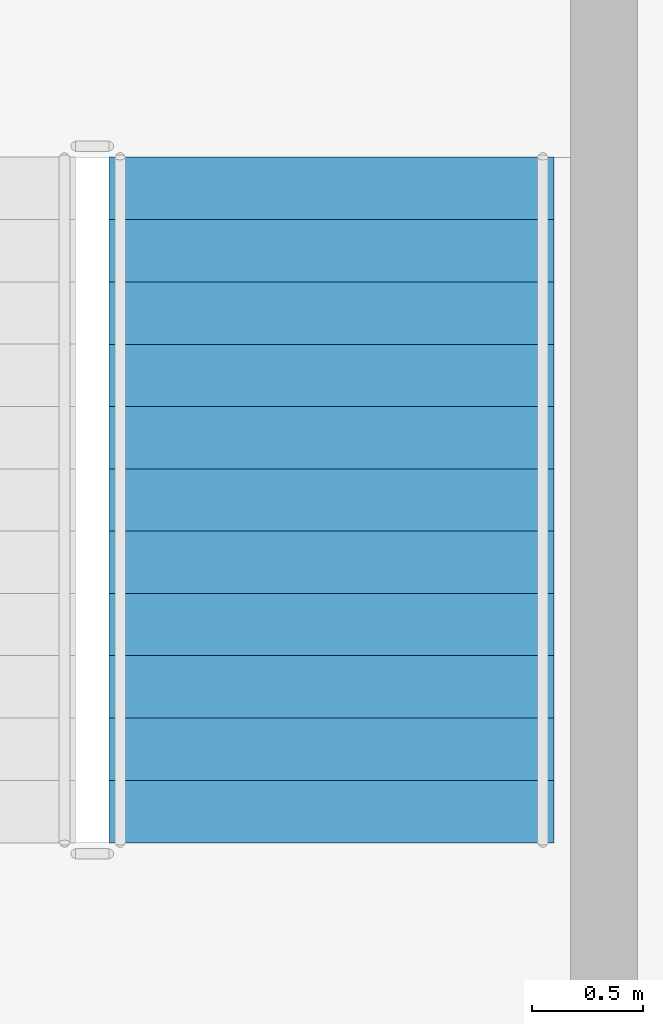
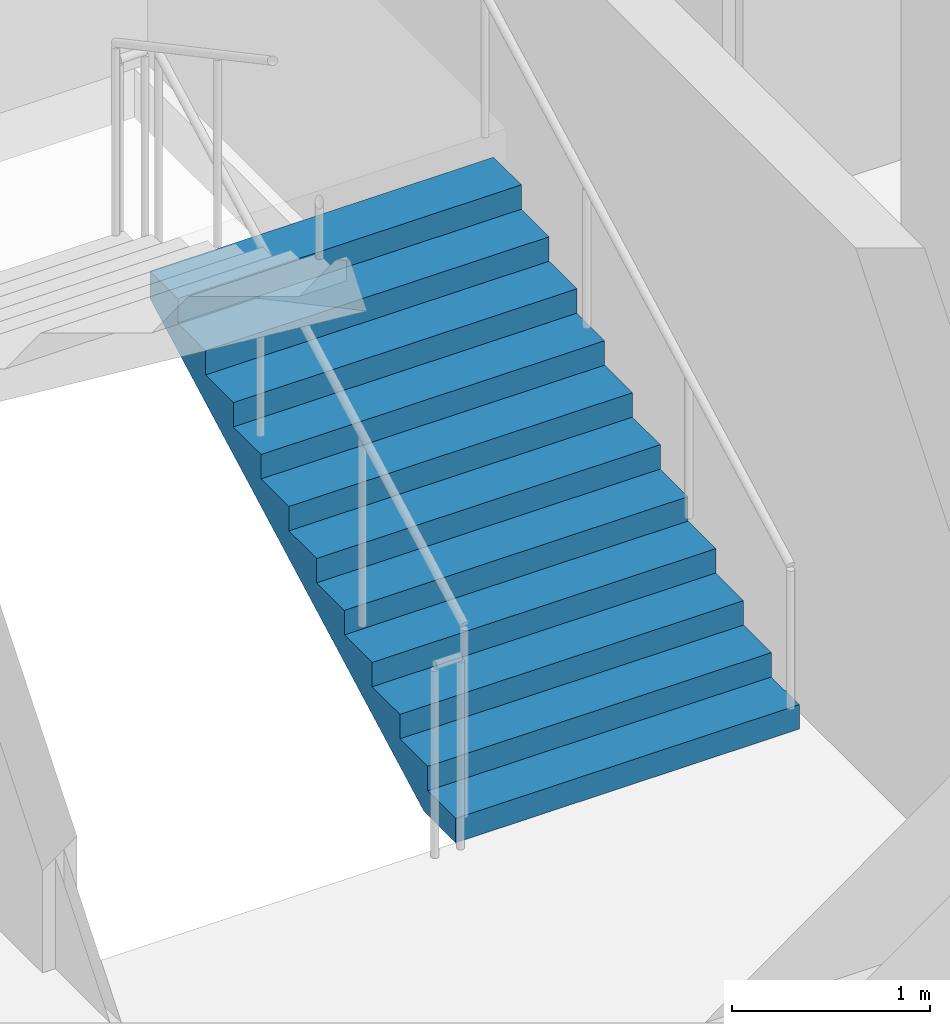
# One storey, part 14 of 17: 1 stair flight, 1 element without a shape of its own.
"""IFC4 building model written with IfcOpenShell, lengths in metres."""

from ifc_helpers import new_model, si_unit, direction, frame, origin, place, context, subcontext, project, spatial, polygons, material, type_object, element, aggregate, save


model = new_model("IFC4")

# Units and contexts
model_context = context("Model", 3, precision=1e-05, world=origin(), true_north=direction((0.0, 1.0)))
body_context = subcontext(model_context, "Body", "Model", "MODEL_VIEW")
ifc_project = project(units=[si_unit("LENGTHUNIT", "METRE"), si_unit("AREAUNIT", "SQUARE_METRE"), si_unit("VOLUMEUNIT", "CUBIC_METRE"), si_unit("PLANEANGLEUNIT", "RADIAN"), si_unit("MASSUNIT", "GRAM", prefix="KILO")], contexts=[model_context])

# Site, building, storey
site_placement = place(None, origin())
site = spatial("IfcSite", under=ifc_project, at=site_placement, CompositionType="ELEMENT")
building_placement = place(site_placement, origin())
building = spatial("IfcBuilding", under=site, at=building_placement, Name="Caravel Reach Hotel and Residences", CompositionType="ELEMENT")
storey_placement = place(building_placement, frame((0.0, 0.0, 136.800048828125)))
storey = spatial("IfcBuildingStorey", under=building, at=storey_placement, Name="L34", CompositionType="ELEMENT", Elevation=136.800048828125)

# Stair, stair flight
ifc_material_1 = material(Name="Concrete C40", Category="concrete")
stair_type = type_object("IfcStairType", Name="Core stair", PredefinedType="HALF_TURN_STAIR", material=ifc_material_1)
stair_placement = place(storey_placement, origin())
stair = element("IfcStair", 1, at=stair_placement, inside=storey, type_object=stair_type, Name="L34 Exit stair B", PredefinedType="HALF_TURN_STAIR")
ifc_material_2 = material(Name="Concrete C40", Category="concrete")
stair_flight_type = type_object("IfcStairFlightType", Name="Core stair flight", PredefinedType="STRAIGHT", material=ifc_material_2)
stair_flight_placement = place(storey_placement, frame((43.77490234375, 24.64990234375, 0.0), z_axis=(0.0, 0.0, 1.0), x_axis=(0.0, 1.0, 0.0)))
stair_flight = element("IfcStairFlight", 2, at=stair_flight_placement, type_object=stair_flight_type, Name="ST-B flight 1", NumberOfRisers=12, NumberOfTreads=11, PredefinedType="STRAIGHT", RiserHeight=0.15, TreadLength=0.28, context=body_context, shape_type="Tessellation", body=[
    polygons([(0.3174408016601862, 1.0, 0.0), (0.3174408016601862, 0.6666666666666667, 0.0), (0.3174408016601862, 0.33333333333333337, 0.0), (0.3174408016601862, 0.0, 0.0), (0.3174408016601862, -0.33333333333333326, 0.0), (0.3174408016601862, -0.6666666666666667, 0.0), (0.3174408016601862, -1.0, 0.0), (3.081, 1.0, 1.479942427682043), (3.081, 0.6666666666666667, 1.479942427682043), (3.081, 0.33333333333333337, 1.479942427682043), (3.081, 0.0, 1.479942427682043), (3.081, -0.33333333333333326, 1.479942427682043), (3.081, -0.6666666666666667, 1.479942427682043), (3.081, -1.0, 1.479942427682043), (3.081, 1.0, 1.65), (3.081, 0.6666666666666667, 1.65), (3.081, 0.33333333333333337, 1.65), (3.081, 0.0, 1.65), (3.081, -0.33333333333333326, 1.65), (3.081, -0.6666666666666667, 1.65), (3.081, -1.0, 1.65), (2.8000000000000003, 1.0, 1.65), (2.8000000000000003, 0.6666666666666667, 1.65), (2.8000000000000003, 0.33333333333333337, 1.65), (2.8000000000000003, 0.0, 1.65), (2.8000000000000003, -0.33333333333333326, 1.65), (2.8000000000000003, -0.6666666666666667, 1.65), (2.8000000000000003, -1.0, 1.65), (2.8000000000000003, 1.0, 1.5), (2.8000000000000003, 0.6666666666666667, 1.5), (2.8000000000000003, 0.33333333333333337, 1.5), (2.8000000000000003, 0.0, 1.5), (2.8000000000000003, -0.33333333333333326, 1.5), (2.8000000000000003, -0.6666666666666667, 1.5), (2.8000000000000003, -1.0, 1.5), (2.5200000000000005, 1.0, 1.5), (2.5200000000000005, 0.6666666666666667, 1.5), (2.5200000000000005, 0.33333333333333337, 1.5), (2.5200000000000005, 0.0, 1.5), (2.5200000000000005, -0.33333333333333326, 1.5), (2.5200000000000005, -0.6666666666666667, 1.5), (2.5200000000000005, -1.0, 1.5), (2.5200000000000005, 1.0, 1.3499999999999999), (2.5200000000000005, 0.6666666666666667, 1.3499999999999999), (2.5200000000000005, 0.33333333333333337, 1.3499999999999999), (2.5200000000000005, 0.0, 1.3499999999999999), (2.5200000000000005, -0.33333333333333326, 1.3499999999999999), (2.5200000000000005, -0.6666666666666667, 1.3499999999999999), (2.5200000000000005, -1.0, 1.3499999999999999), (2.24, 1.0, 1.3499999999999999), (2.24, 0.6666666666666667, 1.3499999999999999), (2.24, 0.33333333333333337, 1.3499999999999999), (2.24, 0.0, 1.3499999999999999), (2.24, -0.33333333333333326, 1.3499999999999999), (2.24, -0.6666666666666667, 1.3499999999999999), (2.24, -1.0, 1.3499999999999999), (2.24, 1.0, 1.2), (2.24, 0.6666666666666667, 1.2), (2.24, 0.33333333333333337, 1.2), (2.24, 0.0, 1.2), (2.24, -0.33333333333333326, 1.2), (2.24, -0.6666666666666667, 1.2), (2.24, -1.0, 1.2), (1.9600000000000002, 1.0, 1.2), (1.9600000000000002, 0.6666666666666667, 1.2), (1.9600000000000002, 0.33333333333333337, 1.2), (1.9600000000000002, 0.0, 1.2), (1.9600000000000002, -0.33333333333333326, 1.2), (1.9600000000000002, -0.6666666666666667, 1.2), (1.9600000000000002, -1.0, 1.2), (1.9600000000000002, 1.0, 1.05), (1.9600000000000002, 0.6666666666666667, 1.05), (1.9600000000000002, 0.33333333333333337, 1.05), (1.9600000000000002, 0.0, 1.05), (1.9600000000000002, -0.33333333333333326, 1.05), (1.9600000000000002, -0.6666666666666667, 1.05), (1.9600000000000002, -1.0, 1.05), (1.6800000000000002, 1.0, 1.05), (1.6800000000000002, 0.6666666666666667, 1.05), (1.6800000000000002, 0.33333333333333337, 1.05), (1.6800000000000002, 0.0, 1.05), (1.6800000000000002, -0.33333333333333326, 1.05), (1.6800000000000002, -0.6666666666666667, 1.05), (1.6800000000000002, -1.0, 1.05), (1.6800000000000002, 1.0, 0.8999999999999999), (1.6800000000000002, 0.6666666666666667, 0.8999999999999999), (1.6800000000000002, 0.33333333333333337, 0.8999999999999999), (1.6800000000000002, 0.0, 0.8999999999999999), (1.6800000000000002, -0.33333333333333326, 0.8999999999999999), (1.6800000000000002, -0.6666666666666667, 0.8999999999999999), (1.6800000000000002, -1.0, 0.8999999999999999), (1.4000000000000001, 1.0, 0.8999999999999999), (1.4000000000000001, 0.6666666666666667, 0.8999999999999999), (1.4000000000000001, 0.33333333333333337, 0.8999999999999999), (1.4000000000000001, 0.0, 0.8999999999999999), (1.4000000000000001, -0.33333333333333326, 0.8999999999999999), (1.4000000000000001, -0.6666666666666667, 0.8999999999999999), (1.4000000000000001, -1.0, 0.8999999999999999), (1.4000000000000001, 1.0, 0.75), (1.4000000000000001, 0.6666666666666667, 0.75), (1.4000000000000001, 0.33333333333333337, 0.75), (1.4000000000000001, 0.0, 0.75), (1.4000000000000001, -0.33333333333333326, 0.75), (1.4000000000000001, -0.6666666666666667, 0.75), (1.4000000000000001, -1.0, 0.75), (1.12, 1.0, 0.75), (1.12, 0.6666666666666667, 0.75), (1.12, 0.33333333333333337, 0.75), (1.12, 0.0, 0.75), (1.12, -0.33333333333333326, 0.75), (1.12, -0.6666666666666667, 0.75), (1.12, -1.0, 0.75), (1.12, 1.0, 0.6), (1.12, 0.6666666666666667, 0.6), (1.12, 0.33333333333333337, 0.6), (1.12, 0.0, 0.6), (1.12, -0.33333333333333326, 0.6), (1.12, -0.6666666666666667, 0.6), (1.12, -1.0, 0.6), (0.8400000000000001, 1.0, 0.6), (0.8400000000000001, 0.6666666666666667, 0.6), (0.8400000000000001, 0.33333333333333337, 0.6), (0.8400000000000001, 0.0, 0.6), (0.8400000000000001, -0.33333333333333326, 0.6), (0.8400000000000001, -0.6666666666666667, 0.6), (0.8400000000000001, -1.0, 0.6), (0.8400000000000001, 1.0, 0.44999999999999996), (0.8400000000000001, 0.6666666666666667, 0.44999999999999996), (0.8400000000000001, 0.33333333333333337, 0.44999999999999996), (0.8400000000000001, 0.0, 0.44999999999999996), (0.8400000000000001, -0.33333333333333326, 0.44999999999999996), (0.8400000000000001, -0.6666666666666667, 0.44999999999999996), (0.8400000000000001, -1.0, 0.44999999999999996), (0.56, 1.0, 0.44999999999999996), (0.56, 0.6666666666666667, 0.44999999999999996), (0.56, 0.33333333333333337, 0.44999999999999996), (0.56, 0.0, 0.44999999999999996), (0.56, -0.33333333333333326, 0.44999999999999996), (0.56, -0.6666666666666667, 0.44999999999999996), (0.56, -1.0, 0.44999999999999996), (0.56, 1.0, 0.3), (0.56, 0.6666666666666667, 0.3), (0.56, 0.33333333333333337, 0.3), (0.56, 0.0, 0.3), (0.56, -0.33333333333333326, 0.3), (0.56, -0.6666666666666667, 0.3), (0.56, -1.0, 0.3), (0.28, 1.0, 0.3), (0.28, 0.6666666666666667, 0.3), (0.28, 0.33333333333333337, 0.3), (0.28, 0.0, 0.3), (0.28, -0.33333333333333326, 0.3), (0.28, -0.6666666666666667, 0.3), (0.28, -1.0, 0.3), (0.28, 1.0, 0.15), (0.28, 0.6666666666666667, 0.15), (0.28, 0.33333333333333337, 0.15), (0.28, 0.0, 0.15), (0.28, -0.33333333333333326, 0.15), (0.28, -0.6666666666666667, 0.15), (0.28, -1.0, 0.15), (-0.001, 1.0, 0.15), (-0.001, 0.6666666666666667, 0.15), (-0.001, 0.33333333333333337, 0.15), (-0.001, 0.0, 0.15), (-0.001, -0.33333333333333326, 0.15), (-0.001, -0.6666666666666667, 0.15), (-0.001, -1.0, 0.15), (-0.001, 1.0, 0.0), (-0.001, 0.6666666666666667, 0.0), (-0.001, 0.33333333333333337, 0.0), (-0.001, 0.0, 0.0), (-0.001, -0.33333333333333326, 0.0), (-0.001, -0.6666666666666667, 0.0), (-0.001, -1.0, 0.0)], [[[169, 162, 155, 148, 141, 134, 127, 120, 113, 106, 99, 92, 85, 78, 71, 64, 57, 50, 43, 36, 29, 22, 15, 8, 1]], [[7, 14, 21, 28, 35, 42, 49, 56, 63, 70, 77, 84, 91, 98, 105, 112, 119, 126, 133, 140, 147, 154, 161, 168, 175]], [[1, 8, 9, 2]], [[2, 9, 10, 3]], [[3, 10, 11, 4]], [[4, 11, 12, 5]], [[5, 12, 13, 6]], [[6, 13, 14, 7]], [[8, 15, 16, 9]], [[9, 16, 17, 10]], [[10, 17, 18, 11]], [[11, 18, 19, 12]], [[12, 19, 20, 13]], [[13, 20, 21, 14]], [[15, 22, 23, 16]], [[16, 23, 24, 17]], [[17, 24, 25, 18]], [[18, 25, 26, 19]], [[19, 26, 27, 20]], [[20, 27, 28, 21]], [[22, 29, 30, 23]], [[23, 30, 31, 24]], [[24, 31, 32, 25]], [[25, 32, 33, 26]], [[26, 33, 34, 27]], [[27, 34, 35, 28]], [[29, 36, 37, 30]], [[30, 37, 38, 31]], [[31, 38, 39, 32]], [[32, 39, 40, 33]], [[33, 40, 41, 34]], [[34, 41, 42, 35]], [[36, 43, 44, 37]], [[37, 44, 45, 38]], [[38, 45, 46, 39]], [[39, 46, 47, 40]], [[40, 47, 48, 41]], [[41, 48, 49, 42]], [[43, 50, 51, 44]], [[44, 51, 52, 45]], [[45, 52, 53, 46]], [[46, 53, 54, 47]], [[47, 54, 55, 48]], [[48, 55, 56, 49]], [[50, 57, 58, 51]], [[51, 58, 59, 52]], [[52, 59, 60, 53]], [[53, 60, 61, 54]], [[54, 61, 62, 55]], [[55, 62, 63, 56]], [[57, 64, 65, 58]], [[58, 65, 66, 59]], [[59, 66, 67, 60]], [[60, 67, 68, 61]], [[61, 68, 69, 62]], [[62, 69, 70, 63]], [[64, 71, 72, 65]], [[65, 72, 73, 66]], [[66, 73, 74, 67]], [[67, 74, 75, 68]], [[68, 75, 76, 69]], [[69, 76, 77, 70]], [[71, 78, 79, 72]], [[72, 79, 80, 73]], [[73, 80, 81, 74]], [[74, 81, 82, 75]], [[75, 82, 83, 76]], [[76, 83, 84, 77]], [[78, 85, 86, 79]], [[79, 86, 87, 80]], [[80, 87, 88, 81]], [[81, 88, 89, 82]], [[82, 89, 90, 83]], [[83, 90, 91, 84]], [[85, 92, 93, 86]], [[86, 93, 94, 87]], [[87, 94, 95, 88]], [[88, 95, 96, 89]], [[89, 96, 97, 90]], [[90, 97, 98, 91]], [[92, 99, 100, 93]], [[93, 100, 101, 94]], [[94, 101, 102, 95]], [[95, 102, 103, 96]], [[96, 103, 104, 97]], [[97, 104, 105, 98]], [[99, 106, 107, 100]], [[100, 107, 108, 101]], [[101, 108, 109, 102]], [[102, 109, 110, 103]], [[103, 110, 111, 104]], [[104, 111, 112, 105]], [[106, 113, 114, 107]], [[107, 114, 115, 108]], [[108, 115, 116, 109]], [[109, 116, 117, 110]], [[110, 117, 118, 111]], [[111, 118, 119, 112]], [[113, 120, 121, 114]], [[114, 121, 122, 115]], [[115, 122, 123, 116]], [[116, 123, 124, 117]], [[117, 124, 125, 118]], [[118, 125, 126, 119]], [[120, 127, 128, 121]], [[121, 128, 129, 122]], [[122, 129, 130, 123]], [[123, 130, 131, 124]], [[124, 131, 132, 125]], [[125, 132, 133, 126]], [[127, 134, 135, 128]], [[128, 135, 136, 129]], [[129, 136, 137, 130]], [[130, 137, 138, 131]], [[131, 138, 139, 132]], [[132, 139, 140, 133]], [[134, 141, 142, 135]], [[135, 142, 143, 136]], [[136, 143, 144, 137]], [[137, 144, 145, 138]], [[138, 145, 146, 139]], [[139, 146, 147, 140]], [[141, 148, 149, 142]], [[142, 149, 150, 143]], [[143, 150, 151, 144]], [[144, 151, 152, 145]], [[145, 152, 153, 146]], [[146, 153, 154, 147]], [[148, 155, 156, 149]], [[149, 156, 157, 150]], [[150, 157, 158, 151]], [[151, 158, 159, 152]], [[152, 159, 160, 153]], [[153, 160, 161, 154]], [[155, 162, 163, 156]], [[156, 163, 164, 157]], [[157, 164, 165, 158]], [[158, 165, 166, 159]], [[159, 166, 167, 160]], [[160, 167, 168, 161]], [[162, 169, 170, 163]], [[163, 170, 171, 164]], [[164, 171, 172, 165]], [[165, 172, 173, 166]], [[166, 173, 174, 167]], [[167, 174, 175, 168]], [[169, 1, 2, 170]], [[170, 2, 3, 171]], [[171, 3, 4, 172]], [[172, 4, 5, 173]], [[173, 5, 6, 174]], [[174, 6, 7, 175]]], closed=True),
])
aggregate(stair, [stair_flight])

save(model, "model.ifc")
